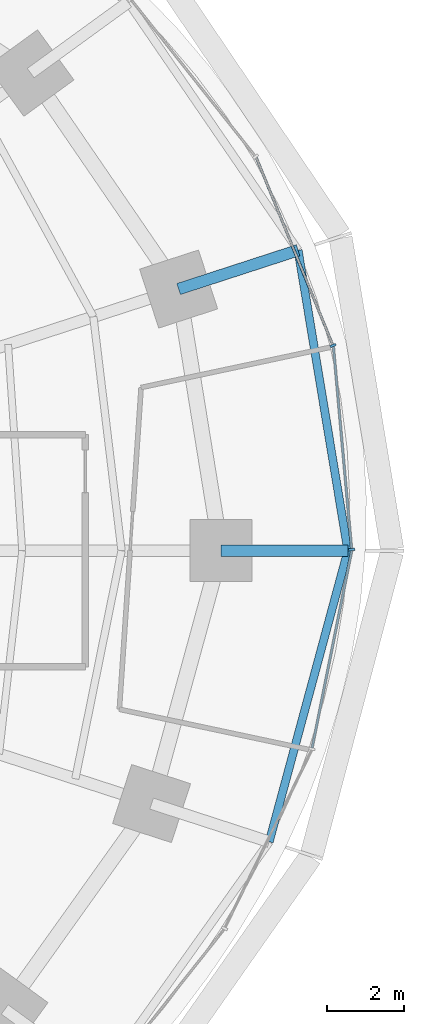
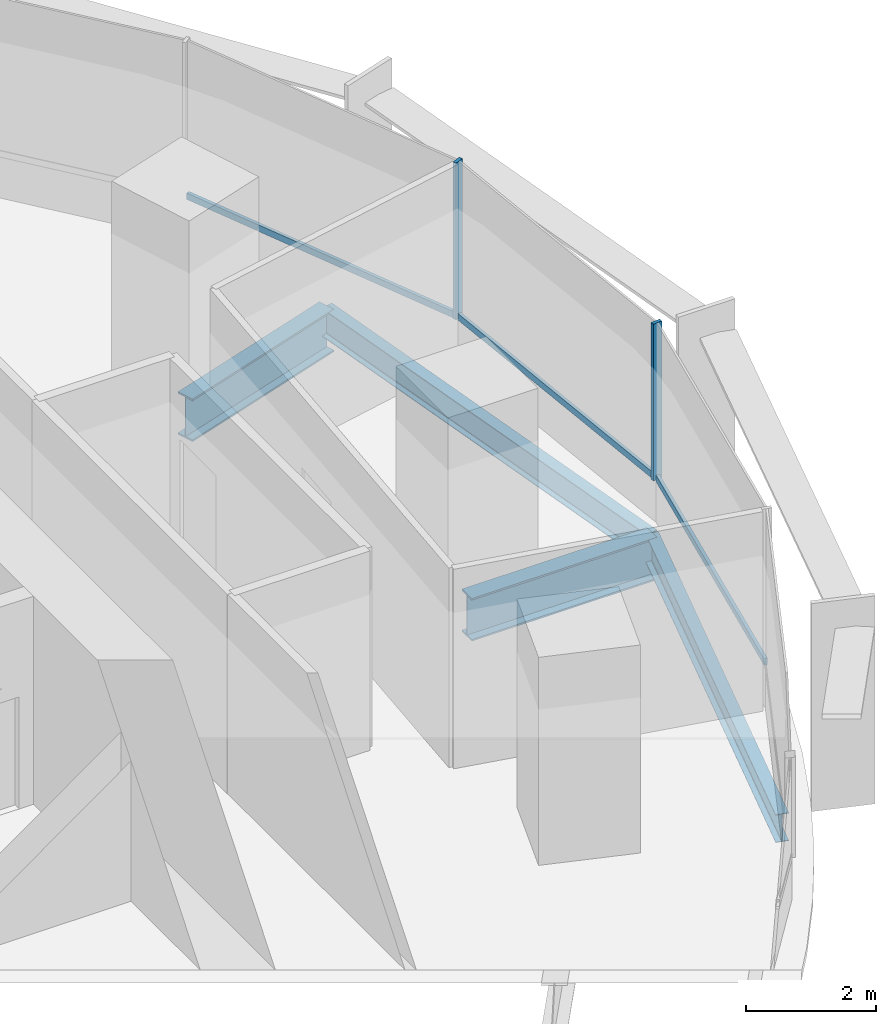
# One storey, part 6 of 14: 5 members, 4 beams, 2 elements without a shape of their own.
"""IFC4 building model written with IfcOpenShell, lengths in metres."""

from ifc_helpers import new_model, si_unit, direction, frame, origin, origin_2d, place, context, subcontext, project, spatial, rectangle, i_section, extrude, material, material_profile, profile_set, type_object, element, aggregate, save


model = new_model("IFC4")

# Units and contexts
model_context = context("Model", 3, precision=1e-05, world=origin(), true_north=direction((0.0, 1.0)))
body_context = subcontext(model_context, "Body", "Model", "MODEL_VIEW")
ifc_project = project(units=[si_unit("LENGTHUNIT", "METRE"), si_unit("AREAUNIT", "SQUARE_METRE"), si_unit("VOLUMEUNIT", "CUBIC_METRE"), si_unit("PLANEANGLEUNIT", "RADIAN"), si_unit("MASSUNIT", "GRAM", prefix="KILO")], contexts=[model_context])

# Site, building, storey
site_placement = place(None, origin())
site = spatial("IfcSite", under=ifc_project, at=site_placement, CompositionType="ELEMENT")
building_placement = place(site_placement, origin())
building = spatial("IfcBuilding", under=site, at=building_placement, Name="Marramba Exchange Tower", CompositionType="ELEMENT")
storey_placement = place(building_placement, frame((0.0, 0.0, 123.60009765625)))
storey = spatial("IfcBuildingStorey", under=building, at=storey_placement, Name="L29", CompositionType="ELEMENT", Elevation=123.60009765625)

# Beams
ifc_material_1 = material(Name="Steel AS/NZS 3679.2 grade 300", Category="steel")
ifc_material_profile_1 = material_profile(ifc_material_1, i_section(OverallWidth=0.300048828125, OverallDepth=0.800048828125, WebThickness=0.013916015625, FlangeThickness=0.031982421875, at=origin_2d()), Name="800WB192")
ifc_profile_set_1 = profile_set([ifc_material_profile_1], Name="Steel AS/NZS 3679.2 grade 300")
beam_type_1 = type_object("IfcBeamType", Name="Cantilever girder 800WB192", PredefinedType="BEAM", material=ifc_profile_set_1)
beam_1_placement = place(storey_placement, frame((21.89990234375, 0.0, -0.56005859375), z_axis=(1.0, 0.0, 0.0), x_axis=(0.0, 1.0, 0.0)))
element("IfcBeam", 1, at=beam_1_placement, inside=storey, type_object=beam_type_1, Name="Cantilever girder L29 TC01", PredefinedType="BEAM", context=body_context, shape_type="SweptSolid", body=[
    extrude(i_section(OverallWidth=0.300048828125, OverallDepth=0.800048828125, WebThickness=0.013916015625, FlangeThickness=0.031982421875, at=origin_2d()), origin(), (0.0, 0.0, 1.0), 3.281982421875),
])
beam_2_placement = place(storey_placement, frame((20.808349609375, 6.760986328125, -0.56005859375), z_axis=(0.95105562578, 0.309019735087, 0.0), x_axis=(-0.309019735087, 0.95105562578, 0.0)))
element("IfcBeam", 2, at=beam_2_placement, inside=storey, type_object=beam_type_1, Name="Cantilever girder L29 TC02", PredefinedType="BEAM", context=body_context, shape_type="SweptSolid", body=[
    extrude(i_section(OverallWidth=0.300048828125, OverallDepth=0.800048828125, WebThickness=0.013916015625, FlangeThickness=0.031982421875, at=origin_2d()), origin(), (0.0, 0.0, 1.0), 3.24560546875),
])

# Curtain wall, members
ifc_material_2 = material(Name="Aluminium framing, bronze anodised", Category="aluminium")
curtain_wall_type = type_object("IfcCurtainWallType", Name="Office ribbon curtain wall", PredefinedType="USERDEFINED", material=ifc_material_2)
curtain_wall_1_placement = place(storey_placement, origin())
curtain_wall_1 = element("IfcCurtainWall", 3, at=curtain_wall_1_placement, inside=storey, type_object=curtain_wall_type, Name="Curtain wall CW4 L29 F01-F05", ObjectType="RIBBON CURTAIN WALL", PredefinedType="USERDEFINED")
ifc_material_3 = material(Name="Aluminium mullion, bronze anodised", Category="aluminium")
ifc_material_profile_2 = material_profile(ifc_material_3, rectangle(XDim=0.159912109375, YDim=0.06005859375, at=origin_2d()), Name="CW4 mullion 60x160")
ifc_profile_set_2 = profile_set([ifc_material_profile_2], Name="Aluminium mullion, bronze anodised")
member_type_1 = type_object("IfcMemberType", Name="Office ribbon curtain wall mullion", PredefinedType="MULLION", material=ifc_profile_set_2)
member_1_placement = place(storey_placement, frame((25.279296875, 0.02978515625, 0.7998046875), z_axis=(0.0, 0.0, 1.0), x_axis=(-0.995994646311, -0.089412887889, 0.0)))
member_1 = element("IfcMember", 4, at=member_1_placement, type_object=member_type_1, Name="CW4 mullion 1", PredefinedType="MULLION", context=body_context, shape_type="SweptSolid", body=[
    extrude(rectangle(XDim=0.159912109375, YDim=0.06005859375, at=origin_2d()), origin(), (0.0, 0.0, 1.0), 2.940185546875),
])
member_2_placement = place(storey_placement, frame((24.79736328125, 5.301025390625, 0.7998046875), z_axis=(0.0, 0.0, 1.0), x_axis=(-0.925878584668, -0.377821183171, 0.0)))
member_2 = element("IfcMember", 5, at=member_2_placement, type_object=member_type_1, Name="CW4 mullion 1", PredefinedType="MULLION", context=body_context, shape_type="SweptSolid", body=[
    extrude(rectangle(XDim=0.159912109375, YDim=0.06005859375, at=origin_2d()), origin(), (0.0, 0.0, 1.0), 2.940185546875),
])
ifc_material_4 = material(Name="Aluminium transom, bronze anodised", Category="aluminium")
ifc_material_profile_3 = material_profile(ifc_material_4, rectangle(XDim=0.06005859375, YDim=0.1201171875, at=origin_2d()), Name="CW4 transom 60x120")
ifc_profile_set_3 = profile_set([ifc_material_profile_3], Name="Aluminium transom, bronze anodised")
member_type_2 = type_object("IfcMemberType", Name="Office ribbon curtain wall transom", PredefinedType="USERDEFINED", material=ifc_profile_set_3)
member_3_placement = place(storey_placement, frame((25.276611328125, 0.059814453125, 0.829833984375), z_axis=(-0.089412838135, 0.995994650777, 0.0), x_axis=(-0.995994650777, -0.089412838135, 0.0)))
member_3 = element("IfcMember", 6, at=member_3_placement, type_object=member_type_2, Name="CW4 sill transom", ObjectType="TRANSOM", PredefinedType="USERDEFINED", context=body_context, shape_type="SweptSolid", body=[
    extrude(rectangle(XDim=0.06005859375, YDim=0.1201171875, at=origin_2d()), origin(), (0.0, 0.0, 1.0), 5.234375),
])
member_4_placement = place(storey_placement, frame((24.785888671875, 5.328857421875, 0.829833984375), z_axis=(-0.377838039034, 0.925871706155, 0.0), x_axis=(-0.925871706155, -0.377838039034, 0.0)))
member_4 = element("IfcMember", 7, at=member_4_placement, type_object=member_type_2, Name="CW4 sill transom", ObjectType="TRANSOM", PredefinedType="USERDEFINED", context=body_context, shape_type="SweptSolid", body=[
    extrude(rectangle(XDim=0.06005859375, YDim=0.1201171875, at=origin_2d()), origin(), (0.0, 0.0, 1.0), 5.2158203125),
])
aggregate(curtain_wall_1, [member_1, member_3, member_2, member_4])

# Curtain wall, member
curtain_wall_2_placement = place(storey_placement, origin())
curtain_wall_2 = element("IfcCurtainWall", 8, at=curtain_wall_2_placement, inside=storey, type_object=curtain_wall_type, Name="Curtain wall CW4 L29 F26-F30", ObjectType="RIBBON CURTAIN WALL", PredefinedType="USERDEFINED")
member_5_placement = place(storey_placement, frame((24.258056640625, -5.094970703125, 0.829833984375), z_axis=(0.197028520451, 0.980397757101, 0.0), x_axis=(-0.980397757101, 0.197028520451, 0.0)))
member_5 = element("IfcMember", 9, at=member_5_placement, type_object=member_type_2, Name="CW4 sill transom", ObjectType="TRANSOM", PredefinedType="USERDEFINED", context=body_context, shape_type="SweptSolid", body=[
    extrude(rectangle(XDim=0.06005859375, YDim=0.1201171875, at=origin_2d()), origin(), (0.0, 0.0, 1.0), 5.19677734375),
])
aggregate(curtain_wall_2, [member_5])

# Beams
ifc_material_5 = material(Name="Steel AS/NZS 3679.1 grade 300", Category="steel")
ifc_material_profile_4 = material_profile(ifc_material_5, i_section(OverallWidth=0.208984375, OverallDepth=0.528076171875, WebThickness=0.009521484375, FlangeThickness=0.01318359375, FilletRadius=0.013916015625, at=origin_2d()), Name="530UB82.0")
ifc_profile_set_4 = profile_set([ifc_material_profile_4], Name="Steel AS/NZS 3679.1 grade 300")
beam_type_2 = type_object("IfcBeamType", Name="Slab edge beam 530UB82.0", PredefinedType="SPANDREL", material=ifc_profile_set_4)
beam_3_placement = place(storey_placement, frame((25.181884765625, 0.0, -0.424072265625), z_axis=(-0.163518559175, 0.986540258076, 0.0), x_axis=(-0.986540258076, -0.163518559175, 0.0)))
element("IfcBeam", 10, at=beam_3_placement, inside=storey, type_object=beam_type_2, Name="Slab edge beam L29 TC01-TC02", PredefinedType="SPANDREL", context=body_context, shape_type="SweptSolid", body=[
    extrude(i_section(OverallWidth=0.208984375, OverallDepth=0.528076171875, WebThickness=0.009521484375, FlangeThickness=0.01318359375, FilletRadius=0.013916015625, at=origin_2d()), origin(), (0.0, 0.0, 1.0), 7.869873046875),
])
beam_4_placement = place(storey_placement, frame((23.148681640625, -7.521484375, -0.424072265625), z_axis=(0.260953221575, 0.965351446961, 0.0), x_axis=(-0.965351446961, 0.260953221575, 0.0)))
element("IfcBeam", 11, at=beam_4_placement, inside=storey, type_object=beam_type_2, Name="Slab edge beam L29 TC20-TC01", PredefinedType="SPANDREL", context=body_context, shape_type="SweptSolid", body=[
    extrude(i_section(OverallWidth=0.208984375, OverallDepth=0.528076171875, WebThickness=0.009521484375, FlangeThickness=0.01318359375, FilletRadius=0.013916015625, at=origin_2d()), origin(), (0.0, 0.0, 1.0), 7.79150390625),
])

save(model, "model.ifc")
